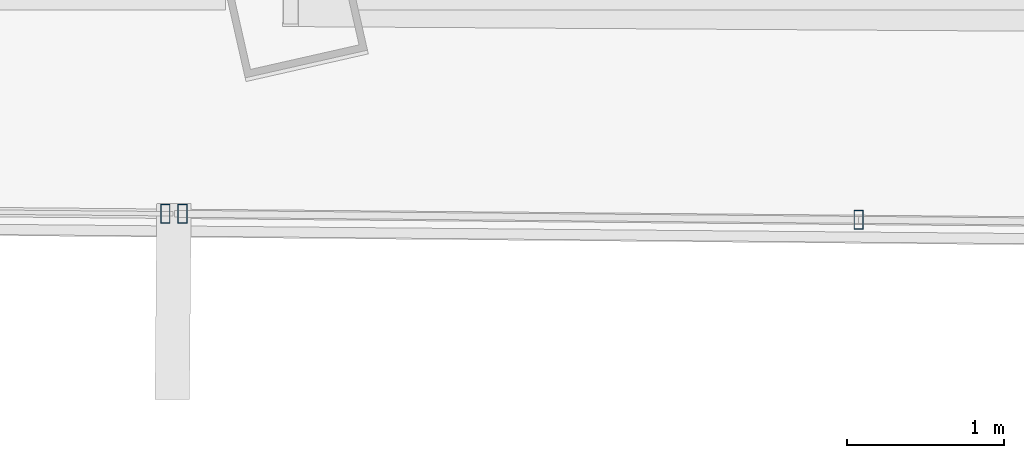
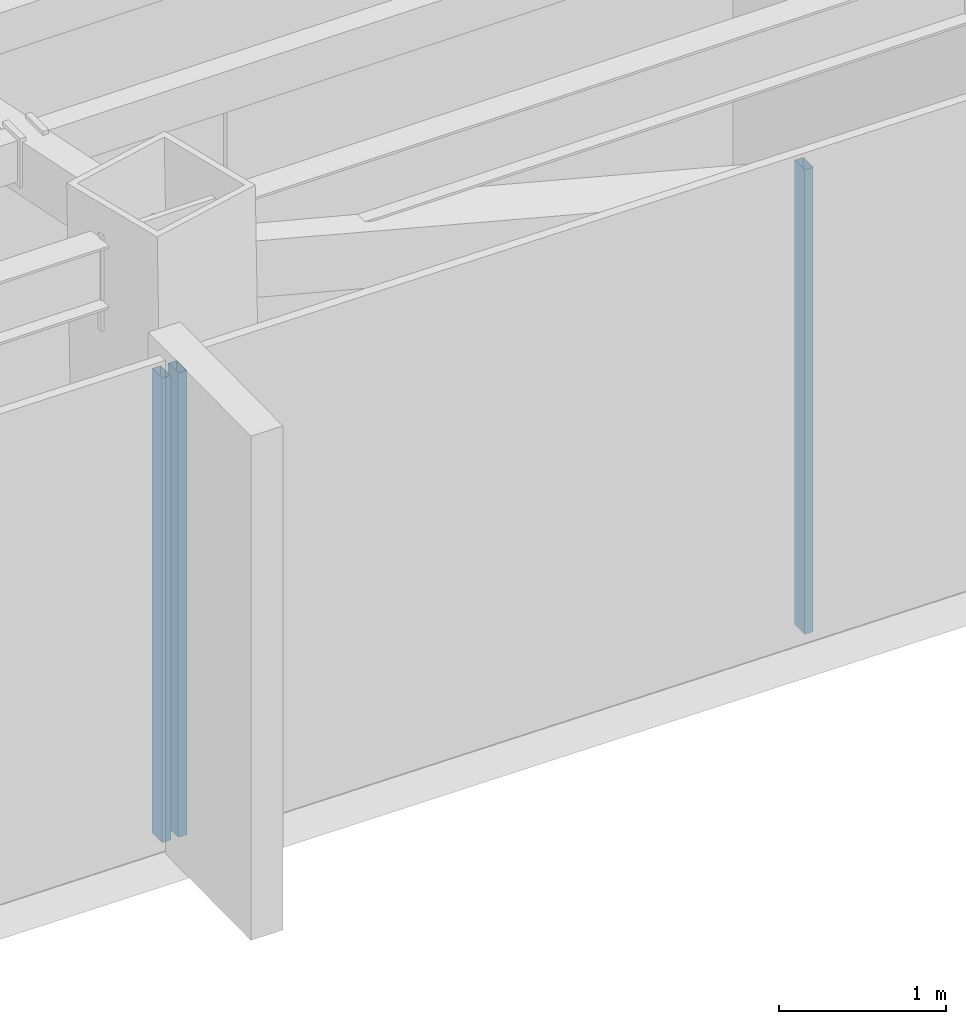
# One storey, part 11 of 49: 3 members, 2 elements without a shape of their own.
"""IFC4 building model written with IfcOpenShell, lengths in metres."""

from ifc_helpers import new_model, si_unit, direction, frame, origin, origin_2d, place, context, subcontext, project, spatial, hollow_rectangle, extrude, source, transform, mapped, material, material_profile, profile_set, type_object, type_shapes, element, aggregate, save


model = new_model("IFC4")

# Units and contexts
model_context = context("Model", 3, precision=1e-05, world=origin(), true_north=direction((0.0, 1.0)))
body_context = subcontext(model_context, "Body", "Model", "MODEL_VIEW")
ifc_project = project(units=[si_unit("LENGTHUNIT", "METRE"), si_unit("AREAUNIT", "SQUARE_METRE"), si_unit("VOLUMEUNIT", "CUBIC_METRE"), si_unit("PLANEANGLEUNIT", "RADIAN"), si_unit("MASSUNIT", "GRAM", prefix="KILO")], contexts=[model_context])

# Site, building, storey
site_placement = place(None, origin())
site = spatial("IfcSite", under=ifc_project, at=site_placement, CompositionType="ELEMENT")
building_placement = place(site_placement, origin())
building = spatial("IfcBuilding", under=site, at=building_placement, Name="Caelisora Broadcast Tower", CompositionType="ELEMENT")
storey_placement = place(building_placement, frame((0.0, 0.0, 233.5)))
storey = spatial("IfcBuildingStorey", under=building, at=storey_placement, Name="L61", CompositionType="ELEMENT", Elevation=233.5)

# Curtain wall, members
ifc_material_1 = material(Name="Unitised Aluminium Insulated Shadow-Box Spandrel Curtain Wall", Category="aluminium")
curtain_wall_type_1 = type_object("IfcCurtainWallType", Name="CW-SP3", PredefinedType="NOTDEFINED", material=ifc_material_1)
curtain_wall_1_placement = place(storey_placement, origin())
curtain_wall_1 = element("IfcCurtainWall", 1, at=curtain_wall_1_placement, inside=storey, type_object=curtain_wall_type_1, Name="L61 curtain wall CW-SP3", PredefinedType="NOTDEFINED")
ifc_material_2 = material(Name="Aluminium 6063-T6 Anodised Terracotta Bronze", Category="aluminium")
ifc_material_profile = material_profile(ifc_material_2, hollow_rectangle(XDim=0.06005859375, YDim=0.1201171875, WallThickness=0.0029296875, at=origin_2d()), Name="Aluminium 6063-T6 Anodised Terracotta Bronze")
ifc_profile_set = profile_set([ifc_material_profile], Name="Aluminium 6063-T6 Anodised Terracotta Bronze")
member_type = type_object("IfcMemberType", Name="CWM-04", PredefinedType="MULLION", material=ifc_profile_set)
shared_shape = source(origin(), body_context, "Body", "SweptSolid", [
    extrude(hollow_rectangle(XDim=0.06005859375, YDim=0.1201171875, WallThickness=0.0029296875, at=origin_2d()), origin(), (0.0, 0.0, 1.0), 3.39990234375),
])
type_shapes(member_type, [shared_shape])
member_1_placement = place(storey_placement, frame((35.8056640625, 7.517578125, 0.0), z_axis=(0.0, 0.0, 1.0), x_axis=(1.0, 0.0, 0.0)))
member_1 = element("IfcMember", 2, at=member_1_placement, type_object=member_type, Name="L61-CW-B06 mullion #2", PredefinedType="MULLION", context=body_context, shape_type="MappedRepresentation", body=[
    mapped(shared_shape, transform((0.0, 0.0, 0.0), scale=1.0)),
])
member_2_placement = place(storey_placement, frame((31.491455078125, 7.555908203125, 0.0), z_axis=(0.0, 0.0, 1.0), x_axis=(1.0, 0.0, 0.0)))
member_2 = element("IfcMember", 3, at=member_2_placement, type_object=member_type, Name="L61-CW-B06 mullion #3", PredefinedType="MULLION", context=body_context, shape_type="MappedRepresentation", body=[
    mapped(shared_shape, transform((0.0, 0.0, 0.0), scale=1.0)),
])
aggregate(curtain_wall_1, [member_1, member_2])

# Curtain wall, member
ifc_material_3 = material(Name="Unitised Aluminium and Low-E Glass Curtain Wall", Category="glass")
curtain_wall_type_2 = type_object("IfcCurtainWallType", Name="CW-Z5", PredefinedType="NOTDEFINED", material=ifc_material_3)
curtain_wall_2_placement = place(storey_placement, origin())
curtain_wall_2 = element("IfcCurtainWall", 4, at=curtain_wall_2_placement, inside=storey, type_object=curtain_wall_type_2, Name="L61 curtain wall CW-Z5", PredefinedType="NOTDEFINED")
member_3_placement = place(storey_placement, frame((31.38134765625, 7.556884765625, 0.0), z_axis=(0.0, 0.0, 1.0), x_axis=(1.0, 0.0, 0.0)))
member_3 = element("IfcMember", 5, at=member_3_placement, type_object=member_type, Name="L61-CW-B07 mullion #0", PredefinedType="MULLION", context=body_context, shape_type="MappedRepresentation", body=[
    mapped(shared_shape, transform((0.0, 0.0, 0.0), scale=1.0)),
])
aggregate(curtain_wall_2, [member_3])

save(model, "model.ifc")
